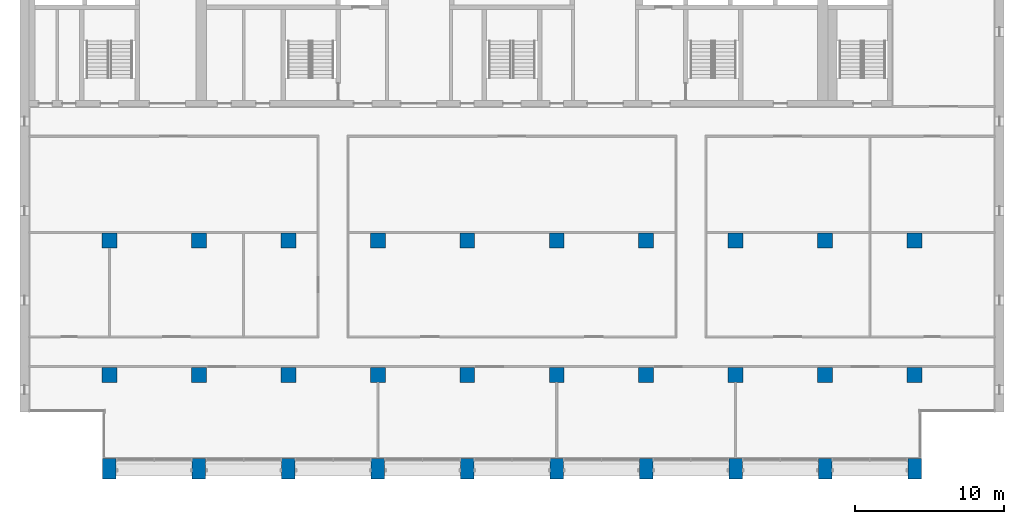
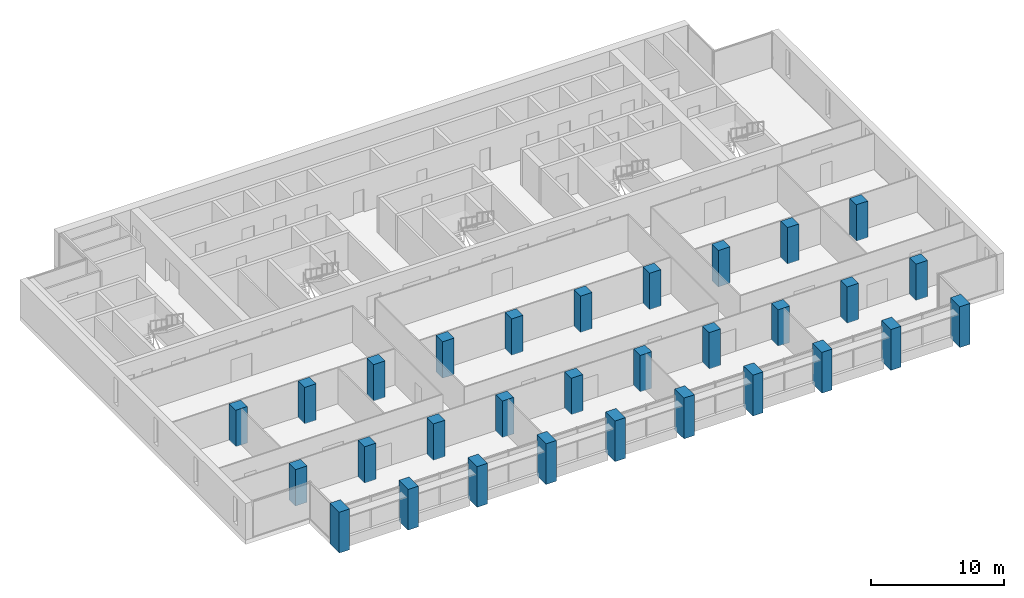
# One storey, part 1 of 17: 30 columns.
"""IFC4 building model written with IfcOpenShell, lengths in metres."""

from ifc_helpers import new_model, si_unit, direction, frame, origin, origin_2d, place, context, subcontext, project, spatial, rectangle, extrude, material, material_profile, profile_set, type_object, element, save


model = new_model("IFC4")

# Units and contexts
model_context = context("Model", 3, precision=1e-05, world=origin(), true_north=direction((0.0, 1.0)))
body_context = subcontext(model_context, "Body", "Model", "MODEL_VIEW")
ifc_project = project(units=[si_unit("LENGTHUNIT", "METRE"), si_unit("AREAUNIT", "SQUARE_METRE"), si_unit("VOLUMEUNIT", "CUBIC_METRE"), si_unit("PLANEANGLEUNIT", "RADIAN"), si_unit("MASSUNIT", "GRAM", prefix="KILO")], contexts=[model_context])

# Site, building, storey
site_placement = place(None, origin())
site = spatial("IfcSite", under=ifc_project, at=site_placement, CompositionType="ELEMENT")
building_placement = place(site_placement, origin())
building = spatial("IfcBuilding", under=site, at=building_placement, Name="Calvaro Tower", CompositionType="ELEMENT")
storey_placement = place(building_placement, frame((0.0, 0.0, 211.75)))
storey = spatial("IfcBuildingStorey", under=building, at=storey_placement, Name="L53", CompositionType="ELEMENT", Elevation=211.75)

# Columns
ifc_material_1 = material(Name="Concrete C50/60", Category="concrete")
ifc_material_profile_1 = material_profile(ifc_material_1, rectangle(XDim=1.0, YDim=1.0, at=origin_2d()), Name="RC 1000x1000")
ifc_profile_set_1 = profile_set([ifc_material_profile_1], Name="Concrete C50/60")
column_type_1 = type_object("IfcColumnType", Name="Column 1000x1000 C50/60", PredefinedType="COLUMN", material=ifc_profile_set_1)
for number, where, z_axis, x_axis, name in (
    (1, (12.0, 10.0, 0.0), (0.0, 0.0, 1.0), (1.0, 0.0, 0.0), "Column 3B"),
    (2, (12.0, 19.0, 0.0), (0.0, 0.0, 1.0), (1.0, 0.0, 0.0), "Column 3C"),
    (3, (18.0, 10.0, 0.0), (0.0, 0.0, 1.0), (1.0, 0.0, 0.0), "Column 4B"),
    (4, (18.0, 19.0, 0.0), (0.0, 0.0, 1.0), (1.0, 0.0, 0.0), "Column 4C"),
    (5, (24.0, 10.0, 0.0), (0.0, 0.0, 1.0), (1.0, 0.0, 0.0), "Column 5B"),
    (6, (24.0, 19.0, 0.0), (0.0, 0.0, 1.0), (1.0, 0.0, 0.0), "Column 5C"),
    (7, (30.0, 10.0, 0.0), (0.0, 0.0, 1.0), (1.0, 0.0, 0.0), "Column 6B"),
    (8, (30.0, 19.0, 0.0), (0.0, 0.0, 1.0), (1.0, 0.0, 0.0), "Column 6C"),
    (9, (36.0, 10.0, 0.0), (0.0, 0.0, 1.0), (1.0, 0.0, 0.0), "Column 7B"),
    (10, (36.0, 19.0, 0.0), (0.0, 0.0, 1.0), (1.0, 0.0, 0.0), "Column 7C"),
    (11, (42.0, 10.0, 0.0), (0.0, 0.0, 1.0), (1.0, 0.0, 0.0), "Column 8B"),
    (12, (42.0, 19.0, 0.0), (0.0, 0.0, 1.0), (1.0, 0.0, 0.0), "Column 8C"),
    (13, (48.0, 10.0, 0.0), (0.0, 0.0, 1.0), (1.0, 0.0, 0.0), "Column 9B"),
    (14, (48.0, 19.0, 0.0), (0.0, 0.0, 1.0), (1.0, 0.0, 0.0), "Column 9C"),
    (15, (54.0, 10.0, 0.0), (0.0, 0.0, 1.0), (1.0, 0.0, 0.0), "Column 10B"),
    (16, (54.0, 19.0, 0.0), (0.0, 0.0, 1.0), (1.0, 0.0, 0.0), "Column 10C"),
    (17, (60.0, 10.0, 0.0), (0.0, 0.0, 1.0), (1.0, 0.0, 0.0), "Column 11B"),
    (18, (60.0, 19.0, 0.0), (0.0, 0.0, 1.0), (1.0, 0.0, 0.0), "Column 11C"),
    (19, (66.0, 10.0, 0.0), (0.0, 0.0, 1.0), (1.0, 0.0, 0.0), "Column 12B"),
    (20, (66.0, 19.0, 0.0), (0.0, 0.0, 1.0), (1.0, 0.0, 0.0), "Column 12C"),
):
    element("IfcColumn", number, at=place(storey_placement, frame(where, z_axis=z_axis, x_axis=x_axis)), inside=storey, type_object=column_type_1, Name=name, PredefinedType="COLUMN", context=body_context, shape_type="SweptSolid", body=[
        extrude(rectangle(XDim=1.0, YDim=1.0, at=origin_2d()), origin(), (0.0, 0.0, 1.0), 3.35009765625),
    ])
ifc_material_2 = material(Name="Concrete C50/60", Category="concrete")
ifc_material_profile_2 = material_profile(ifc_material_2, rectangle(XDim=0.89990234375, YDim=1.39990234375, at=origin_2d()), Name="RC 900x1400")
ifc_profile_set_2 = profile_set([ifc_material_profile_2], Name="Concrete C50/60")
column_type_2 = type_object("IfcColumnType", Name="Pier 900x1400 C50/60", PredefinedType="COLUMN", material=ifc_profile_set_2)
for number, where, z_axis, x_axis, name in (
    (21, (12.0, 3.699951171875, -0.39990234375), (0.0, 0.0, 1.0), (1.0, 0.0, 0.0), "South pier 3"),
    (22, (18.0, 3.699951171875, -0.39990234375), (0.0, 0.0, 1.0), (1.0, 0.0, 0.0), "South pier 4"),
    (23, (24.0, 3.699951171875, -0.39990234375), (0.0, 0.0, 1.0), (1.0, 0.0, 0.0), "South pier 5"),
    (24, (30.0, 3.699951171875, -0.39990234375), (0.0, 0.0, 1.0), (1.0, 0.0, 0.0), "South pier 6"),
    (25, (36.0, 3.699951171875, -0.39990234375), (0.0, 0.0, 1.0), (1.0, 0.0, 0.0), "South pier 7"),
    (26, (42.0, 3.699951171875, -0.39990234375), (0.0, 0.0, 1.0), (1.0, 0.0, 0.0), "South pier 8"),
    (27, (48.0, 3.699951171875, -0.39990234375), (0.0, 0.0, 1.0), (1.0, 0.0, 0.0), "South pier 9"),
    (28, (54.0, 3.699951171875, -0.39990234375), (0.0, 0.0, 1.0), (1.0, 0.0, 0.0), "South pier 10"),
    (29, (60.0, 3.699951171875, -0.39990234375), (0.0, 0.0, 1.0), (1.0, 0.0, 0.0), "South pier 11"),
    (30, (66.0, 3.699951171875, -0.39990234375), (0.0, 0.0, 1.0), (1.0, 0.0, 0.0), "South pier 12"),
):
    element("IfcColumn", number, at=place(storey_placement, frame(where, z_axis=z_axis, x_axis=x_axis)), inside=storey, type_object=column_type_2, Name=name, PredefinedType="COLUMN", context=body_context, shape_type="SweptSolid", body=[
        extrude(rectangle(XDim=0.89990234375, YDim=1.39990234375, at=origin_2d()), origin(), (0.0, 0.0, 1.0), 3.75),
    ])

save(model, "model.ifc")
